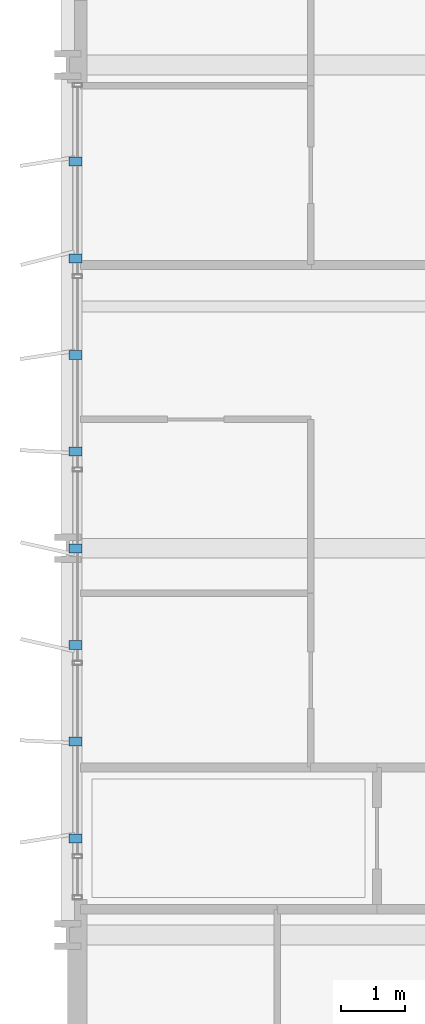
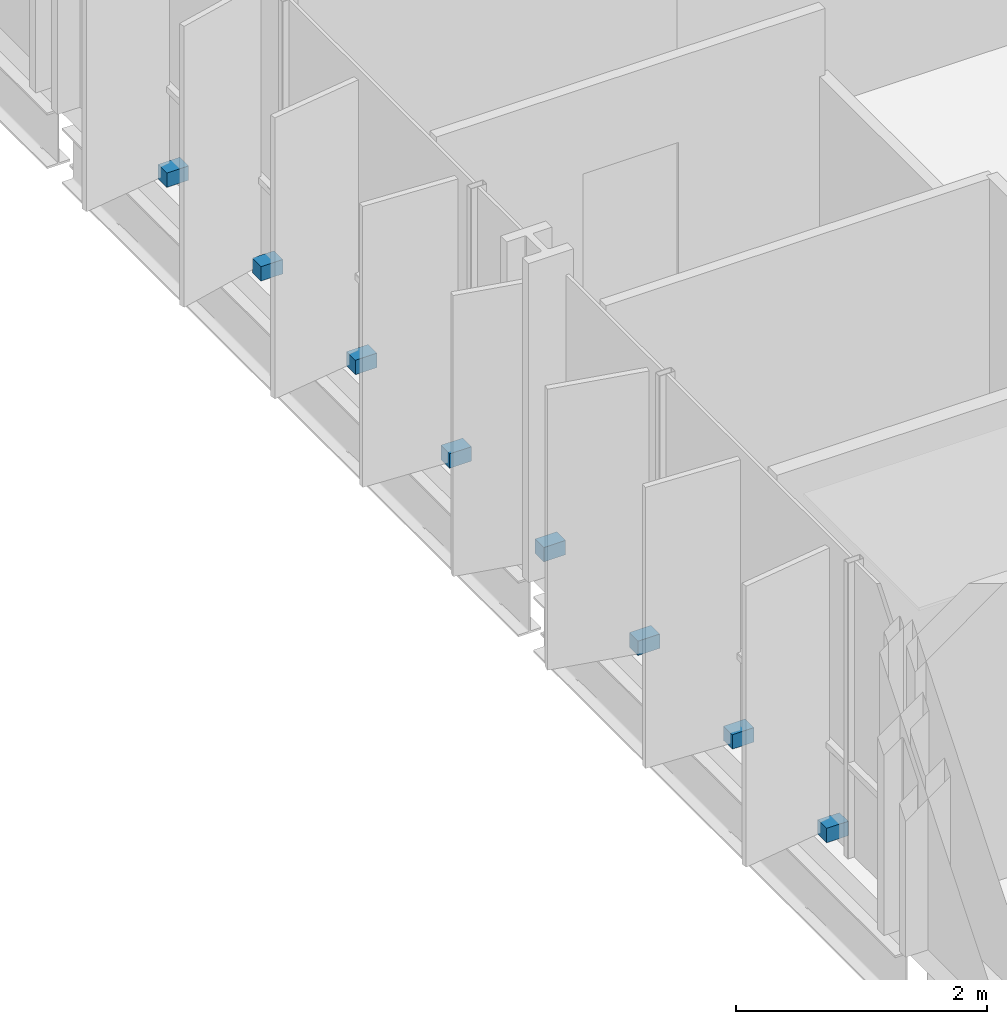
# One storey, part 33 of 38: 8 discrete accessories.
"""IFC4 building model written with IfcOpenShell, lengths in metres."""

from ifc_helpers import new_model, si_unit, direction, frame, origin, origin_2d, place, context, subcontext, project, spatial, rectangle, extrude, material, type_object, element, save


model = new_model("IFC4")

# Units and contexts
model_context = context("Model", 3, precision=1e-05, world=origin(), true_north=direction((0.0, 1.0)))
body_context = subcontext(model_context, "Body", "Model", "MODEL_VIEW")
ifc_project = project(units=[si_unit("LENGTHUNIT", "METRE"), si_unit("AREAUNIT", "SQUARE_METRE"), si_unit("VOLUMEUNIT", "CUBIC_METRE"), si_unit("PLANEANGLEUNIT", "RADIAN"), si_unit("MASSUNIT", "GRAM", prefix="KILO")], contexts=[model_context])

# Site, building, storey
site_placement = place(None, origin())
site = spatial("IfcSite", under=ifc_project, at=site_placement, CompositionType="ELEMENT")
building_placement = place(site_placement, origin())
building = spatial("IfcBuilding", under=site, at=building_placement, Name="Brevholm Reach", CompositionType="ELEMENT")
storey_placement = place(building_placement, frame((0.0, 0.0, 59.0)))
storey = spatial("IfcBuildingStorey", under=building, at=storey_placement, Name="L16", CompositionType="ELEMENT", Elevation=59.0)

# Discrete accessories
ifc_material = material(Name="Duplex Stainless Steel EN 1.4462", Category="steel")
discrete_accessory_type = type_object("IfcDiscreteAccessoryType", Name="ACC-BRK-01", PredefinedType="BRACKET", material=ifc_material)
for number, where, z_axis, x_axis, name in (
    (1, (0.1201171875, 11.5, 0.0302734375), (0.0, 0.0, 1.0), (-1.0, 0.0, 0.0), "L16 Solar Screen Support Bracket 1"),
    (2, (0.1201171875, 13.0, 0.0302734375), (0.0, 0.0, 1.0), (-1.0, 0.0, 0.0), "L16 Solar Screen Support Bracket 2"),
    (3, (0.1201171875, 14.5, 0.0302734375), (0.0, 0.0, 1.0), (-1.0, 0.0, 0.0), "L16 Solar Screen Support Bracket 3"),
    (4, (0.1201171875, 16.0, 0.0302734375), (0.0, 0.0, 1.0), (-1.0, 0.0, 0.0), "L16 Solar Screen Support Bracket 4"),
    (5, (0.1201171875, 17.5, 0.0302734375), (0.0, 0.0, 1.0), (-1.0, 0.0, 0.0), "L16 Solar Screen Support Bracket 5"),
    (6, (0.1201171875, 19.0, 0.0302734375), (0.0, 0.0, 1.0), (-1.0, 0.0, 0.0), "L16 Solar Screen Support Bracket 6"),
    (7, (0.1201171875, 20.5, 0.0302734375), (0.0, 0.0, 1.0), (-1.0, 0.0, 0.0), "L16 Solar Screen Support Bracket 7"),
    (8, (0.1201171875, 22.0, 0.0302734375), (0.0, 0.0, 1.0), (-1.0, 0.0, 0.0), "L16 Solar Screen Support Bracket 8"),
):
    element("IfcDiscreteAccessory", number, at=place(storey_placement, frame(where, z_axis=z_axis, x_axis=x_axis)), inside=storey, type_object=discrete_accessory_type, Name=name, PredefinedType="BRACKET", context=body_context, shape_type="SweptSolid", body=[
        extrude(rectangle(XDim=0.199951171875, YDim=0.139892578125, at=origin_2d()), origin(), (0.0, 0.0, 1.0), 0.139892578125),
    ])

save(model, "model.ifc")
